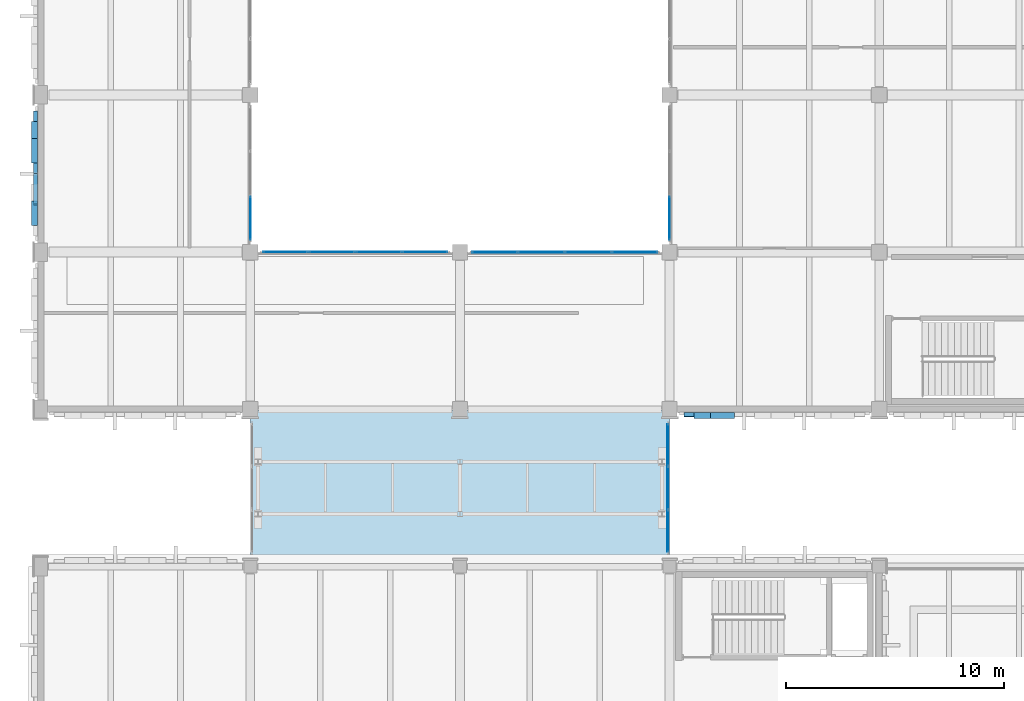
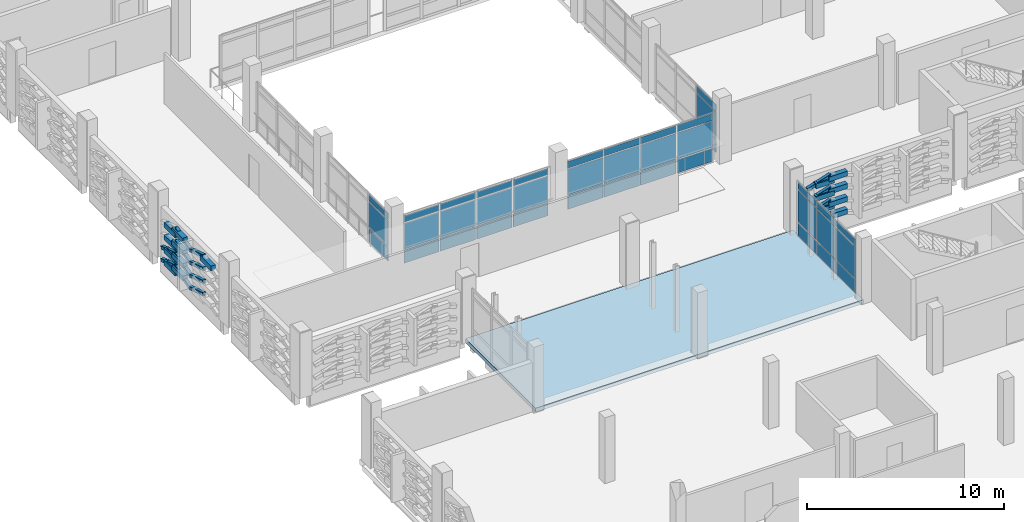
# One storey, part 96 of 134: 70 plates, 1 slab, 5 elements without a shape of their own.
"""IFC4 building model written with IfcOpenShell, lengths in metres."""

from ifc_helpers import new_model, si_unit, direction, frame, origin, origin_2d, place, context, subcontext, project, spatial, polyline, rectangle, hollow_rectangle, outline, extrude, material, layer, layer_set, material_profile, profile_set, type_object, element, aggregate, save


model = new_model("IFC4")

# Units and contexts
model_context = context("Model", 3, precision=1e-05, world=origin(), true_north=direction((0.0, 1.0)))
body_context = subcontext(model_context, "Body", "Model", "MODEL_VIEW")
ifc_project = project(units=[si_unit("LENGTHUNIT", "METRE"), si_unit("AREAUNIT", "SQUARE_METRE"), si_unit("VOLUMEUNIT", "CUBIC_METRE"), si_unit("PLANEANGLEUNIT", "RADIAN"), si_unit("MASSUNIT", "GRAM", prefix="KILO")], contexts=[model_context])

# Site, building, storey
site_placement = place(None, origin())
site = spatial("IfcSite", under=ifc_project, at=site_placement, CompositionType="ELEMENT")
building_placement = place(site_placement, origin())
building = spatial("IfcBuilding", under=site, at=building_placement, Name="Asteropetra Specialist Clinic", CompositionType="ELEMENT")
storey_placement = place(building_placement, frame((0.0, 0.0, 8.5)))
storey = spatial("IfcBuildingStorey", under=building, at=storey_placement, Name="L02", CompositionType="ELEMENT", Elevation=8.5)

# Plates
ifc_material_1 = material(Name="Chevron emerald aluminium 6063-T6", Category="aluminium")
ifc_material_profile = material_profile(ifc_material_1, hollow_rectangle(XDim=0.199951171875, YDim=0.199951171875, WallThickness=0.010009765625, InnerFilletRadius=0.008056640625, OuterFilletRadius=0.01611328125, at=origin_2d()), Name="SHS 200x200x10.0")
ifc_profile_set = profile_set([ifc_material_profile], Name="Chevron emerald aluminium 6063-T6")
plate_type_1 = type_object("IfcPlateType", Name="CHV-RIB-200", PredefinedType="SHEET", material=ifc_profile_set)
for number, where, z_axis, x_axis, name in (
    (1, (29.489990234375, 69.35791015625, 0.050048828125), (0.952436086829, 0.0, 0.304738413241), (0.0, 1.0, 0.0), "Chevron Facade Screen Fin CVR-0931"),
    (2, (29.489990234375, 69.35791015625, 0.820068359375), (0.952436086829, 0.0, 0.304738413241), (0.0, 1.0, 0.0), "Chevron Facade Screen Fin CVR-0933"),
    (3, (29.489990234375, 69.35791015625, 1.6201171875), (0.952436086829, 0.0, 0.304738413241), (0.0, 1.0, 0.0), "Chevron Facade Screen Fin CVR-0935"),
    (4, (29.489990234375, 69.35791015625, 2.39990234375), (0.952436086829, 0.0, 0.304738413241), (0.0, 1.0, 0.0), "Chevron Facade Screen Fin CVR-0937"),
):
    element("IfcPlate", number, at=place(storey_placement, frame(where, z_axis=z_axis, x_axis=x_axis)), inside=storey, type_object=plate_type_1, Name=name, PredefinedType="SHEET", context=body_context, shape_type="SweptSolid", body=[
        extrude(hollow_rectangle(XDim=0.199951171875, YDim=0.199951171875, WallThickness=0.010009765625, InnerFilletRadius=0.008056640625, OuterFilletRadius=0.01611328125, at=origin_2d()), origin(), (0.0, 0.0, 1.0), 1.424560546875),
    ])
plate_1_placement = place(storey_placement, frame((-0.241943359375, 83.235107421875, 0.050048828125), z_axis=(0.0, -0.952525753893, 0.30445802366), x_axis=(1.0, 0.0, 0.0)))
element("IfcPlate", 5, at=plate_1_placement, inside=storey, type_object=plate_type_1, Name="Chevron Facade Screen Fin CVR-1059", PredefinedType="SHEET", context=body_context, shape_type="SweptSolid", body=[
    extrude(hollow_rectangle(XDim=0.199951171875, YDim=0.199951171875, WallThickness=0.010009765625, InnerFilletRadius=0.008056640625, OuterFilletRadius=0.01611328125, at=origin_2d()), origin(), (0.0, 0.0, 1.0), 1.477783203125),
])
plate_2_placement = place(storey_placement, frame((-0.241943359375, 81.827392578125, 0.5), z_axis=(0.0, -0.952510437396, -0.304505938616), x_axis=(1.0, 0.0, 0.0)))
element("IfcPlate", 6, at=plate_2_placement, inside=storey, type_object=plate_type_1, Name="Chevron Facade Screen Fin CVR-1060", PredefinedType="SHEET", context=body_context, shape_type="SweptSolid", body=[
    extrude(hollow_rectangle(XDim=0.199951171875, YDim=0.199951171875, WallThickness=0.010009765625, InnerFilletRadius=0.008056640625, OuterFilletRadius=0.01611328125, at=origin_2d()), origin(), (0.0, 0.0, 1.0), 1.4775390625),
])
plate_3_placement = place(storey_placement, frame((-0.241943359375, 83.235107421875, 0.820068359375), z_axis=(0.0, -0.952525753893, 0.30445802366), x_axis=(1.0, 0.0, 0.0)))
element("IfcPlate", 7, at=plate_3_placement, inside=storey, type_object=plate_type_1, Name="Chevron Facade Screen Fin CVR-1061", PredefinedType="SHEET", context=body_context, shape_type="SweptSolid", body=[
    extrude(hollow_rectangle(XDim=0.199951171875, YDim=0.199951171875, WallThickness=0.010009765625, InnerFilletRadius=0.008056640625, OuterFilletRadius=0.01611328125, at=origin_2d()), origin(), (0.0, 0.0, 1.0), 1.477783203125),
])
for number, where, z_axis, x_axis, name in (
    (8, (-0.241943359375, 81.827392578125, 1.27001953125), (0.0, -0.952510437396, -0.304505938616), (1.0, 0.0, 0.0), "Chevron Facade Screen Fin CVR-1062"),
    (9, (-0.241943359375, 81.827392578125, 2.070068359375), (0.0, -0.952510437396, -0.304505938616), (1.0, 0.0, 0.0), "Chevron Facade Screen Fin CVR-1064"),
):
    element("IfcPlate", number, at=place(storey_placement, frame(where, z_axis=z_axis, x_axis=x_axis)), inside=storey, type_object=plate_type_1, Name=name, PredefinedType="SHEET", context=body_context, shape_type="SweptSolid", body=[
        extrude(hollow_rectangle(XDim=0.199951171875, YDim=0.199951171875, WallThickness=0.010009765625, InnerFilletRadius=0.008056640625, OuterFilletRadius=0.01611328125, at=origin_2d()), origin(), (0.0, 0.0, 1.0), 1.4775390625),
    ])
plate_4_placement = place(storey_placement, frame((-0.241943359375, 81.827392578125, 2.85009765625), z_axis=(0.0, -0.952462505902, -0.304655830162), x_axis=(1.0, 0.0, 0.0)))
element("IfcPlate", 10, at=plate_4_placement, inside=storey, type_object=plate_type_1, Name="Chevron Facade Screen Fin CVR-1066", PredefinedType="SHEET", context=body_context, shape_type="SweptSolid", body=[
    extrude(hollow_rectangle(XDim=0.199951171875, YDim=0.199951171875, WallThickness=0.010009765625, InnerFilletRadius=0.008056640625, OuterFilletRadius=0.01611328125, at=origin_2d()), origin(), (0.0, 0.0, 1.0), 1.477783203125),
])
for number, where, z_axis, x_axis, name in (
    (11, (-0.241943359375, 80.3798828125, 0.050048828125), (0.0, -0.952510437396, 0.304505938616), (1.0, 0.0, 0.0), "Chevron Facade Screen Fin CVR-1067"),
    (12, (-0.241943359375, 80.3798828125, 0.820068359375), (0.0, -0.952510437396, 0.304505938616), (1.0, 0.0, 0.0), "Chevron Facade Screen Fin CVR-1069"),
    (13, (-0.241943359375, 80.3798828125, 1.6201171875), (0.0, -0.952510437396, 0.304505938616), (1.0, 0.0, 0.0), "Chevron Facade Screen Fin CVR-1071"),
):
    element("IfcPlate", number, at=place(storey_placement, frame(where, z_axis=z_axis, x_axis=x_axis)), inside=storey, type_object=plate_type_1, Name=name, PredefinedType="SHEET", context=body_context, shape_type="SweptSolid", body=[
        extrude(hollow_rectangle(XDim=0.199951171875, YDim=0.199951171875, WallThickness=0.010009765625, InnerFilletRadius=0.008056640625, OuterFilletRadius=0.01611328125, at=origin_2d()), origin(), (0.0, 0.0, 1.0), 1.4775390625),
    ])
plate_5_placement = place(storey_placement, frame((-0.241943359375, 80.3798828125, 2.39990234375), z_axis=(0.0, -0.952462505902, 0.304655830162), x_axis=(1.0, 0.0, 0.0)))
element("IfcPlate", 14, at=plate_5_placement, inside=storey, type_object=plate_type_1, Name="Chevron Facade Screen Fin CVR-1073", PredefinedType="SHEET", context=body_context, shape_type="SweptSolid", body=[
    extrude(hollow_rectangle(XDim=0.199951171875, YDim=0.199951171875, WallThickness=0.010009765625, InnerFilletRadius=0.008056640625, OuterFilletRadius=0.01611328125, at=origin_2d()), origin(), (0.0, 0.0, 1.0), 1.477783203125),
])

# Curtain wall, plates
ifc_material_2 = material(Name="Aluminium and low-E glass", Category="aluminium")
ifc_layer_1 = layer(ifc_material_2, 0.14990234375)
ifc_layer_set_1 = layer_set([ifc_layer_1], Name="Aluminium and low-E glass")
curtain_wall_type_1 = type_object("IfcCurtainWallType", Name="CW-SYS-02", PredefinedType="USERDEFINED", material=ifc_layer_set_1)
curtain_wall_1_placement = place(storey_placement, origin())
curtain_wall_1 = element("IfcCurtainWall", 15, at=curtain_wall_1_placement, inside=storey, type_object=curtain_wall_type_1, Name="Curtain Wall CW-033", ObjectType="UNITISED CURTAIN WALL", PredefinedType="USERDEFINED")
ifc_material_3 = material(Name="Low-E acoustic double glazing", Category="glass")
ifc_layer_2 = layer(ifc_material_3, 0.031982421875)
ifc_layer_set_2 = layer_set([ifc_layer_2], Name="Low-E acoustic double glazing")
plate_type_2 = type_object("IfcPlateType", Name="CWP-GLZ-32", PredefinedType="CURTAIN_PANEL", material=ifc_layer_set_2)
plate_6_placement = place(storey_placement, frame((11.201171875, 76.800048828125, 0.074951171875), z_axis=(0.0, 0.0, 1.0), x_axis=(1.0, 0.0, 0.0)))
plate_6 = element("IfcPlate", 16, at=plate_6_placement, type_object=plate_type_2, Name="CW-033 panel 1.1", PredefinedType="CURTAIN_PANEL", context=body_context, shape_type="SweptSolid", body=[
    extrude(rectangle(XDim=2.032470703125, YDim=0.031982421875, at=origin_2d()), origin(), (0.0, 0.0, 1.0), 0.78759765625),
])
plate_7_placement = place(storey_placement, frame((11.201171875, 76.800048828125, 0.9375), z_axis=(0.0, 0.0, 1.0), x_axis=(1.0, 0.0, 0.0)))
plate_7 = element("IfcPlate", 17, at=plate_7_placement, type_object=plate_type_2, Name="CW-033 panel 1.2", PredefinedType="CURTAIN_PANEL", context=body_context, shape_type="SweptSolid", body=[
    extrude(rectangle(XDim=2.032470703125, YDim=0.031982421875, at=origin_2d()), origin(), (0.0, 0.0, 1.0), 1.60498046875),
])
plate_8_placement = place(storey_placement, frame((11.201171875, 76.800048828125, 2.61767578125), z_axis=(0.0, 0.0, 1.0), x_axis=(1.0, 0.0, 0.0)))
plate_8 = element("IfcPlate", 18, at=plate_8_placement, type_object=plate_type_2, Name="CW-033 panel 1.3", PredefinedType="CURTAIN_PANEL", context=body_context, shape_type="SweptSolid", body=[
    extrude(rectangle(XDim=2.032470703125, YDim=0.031982421875, at=origin_2d()), origin(), (0.0, 0.0, 1.0), 0.387451171875),
])
plate_9_placement = place(storey_placement, frame((13.327392578125, 76.800048828125, 0.074951171875), z_axis=(0.0, 0.0, 1.0), x_axis=(1.0, 0.0, 0.0)))
plate_9 = element("IfcPlate", 19, at=plate_9_placement, type_object=plate_type_2, Name="CW-033 panel 2.1", PredefinedType="CURTAIN_PANEL", context=body_context, shape_type="SweptSolid", body=[
    extrude(rectangle(XDim=2.070068359375, YDim=0.031982421875, at=origin_2d()), origin(), (0.0, 0.0, 1.0), 0.78759765625),
])
plate_10_placement = place(storey_placement, frame((13.327392578125, 76.800048828125, 0.9375), z_axis=(0.0, 0.0, 1.0), x_axis=(1.0, 0.0, 0.0)))
plate_10 = element("IfcPlate", 20, at=plate_10_placement, type_object=plate_type_2, Name="CW-033 panel 2.2", PredefinedType="CURTAIN_PANEL", context=body_context, shape_type="SweptSolid", body=[
    extrude(rectangle(XDim=2.070068359375, YDim=0.031982421875, at=origin_2d()), origin(), (0.0, 0.0, 1.0), 1.60498046875),
])
plate_11_placement = place(storey_placement, frame((13.327392578125, 76.800048828125, 2.61767578125), z_axis=(0.0, 0.0, 1.0), x_axis=(1.0, 0.0, 0.0)))
plate_11 = element("IfcPlate", 21, at=plate_11_placement, type_object=plate_type_2, Name="CW-033 panel 2.3", PredefinedType="CURTAIN_PANEL", context=body_context, shape_type="SweptSolid", body=[
    extrude(rectangle(XDim=2.070068359375, YDim=0.031982421875, at=origin_2d()), origin(), (0.0, 0.0, 1.0), 0.387451171875),
])
plate_12_placement = place(storey_placement, frame((15.472412109375, 76.800048828125, 0.074951171875), z_axis=(0.0, 0.0, 1.0), x_axis=(1.0, 0.0, 0.0)))
plate_12 = element("IfcPlate", 22, at=plate_12_placement, type_object=plate_type_2, Name="CW-033 panel 3.1", PredefinedType="CURTAIN_PANEL", context=body_context, shape_type="SweptSolid", body=[
    extrude(rectangle(XDim=2.070068359375, YDim=0.031982421875, at=origin_2d()), origin(), (0.0, 0.0, 1.0), 0.78759765625),
])
plate_13_placement = place(storey_placement, frame((15.472412109375, 76.800048828125, 0.9375), z_axis=(0.0, 0.0, 1.0), x_axis=(1.0, 0.0, 0.0)))
plate_13 = element("IfcPlate", 23, at=plate_13_placement, type_object=plate_type_2, Name="CW-033 panel 3.2", PredefinedType="CURTAIN_PANEL", context=body_context, shape_type="SweptSolid", body=[
    extrude(rectangle(XDim=2.070068359375, YDim=0.031982421875, at=origin_2d()), origin(), (0.0, 0.0, 1.0), 1.60498046875),
])
plate_14_placement = place(storey_placement, frame((15.472412109375, 76.800048828125, 2.61767578125), z_axis=(0.0, 0.0, 1.0), x_axis=(1.0, 0.0, 0.0)))
plate_14 = element("IfcPlate", 24, at=plate_14_placement, type_object=plate_type_2, Name="CW-033 panel 3.3", PredefinedType="CURTAIN_PANEL", context=body_context, shape_type="SweptSolid", body=[
    extrude(rectangle(XDim=2.070068359375, YDim=0.031982421875, at=origin_2d()), origin(), (0.0, 0.0, 1.0), 0.387451171875),
])
plate_15_placement = place(storey_placement, frame((17.5986328125, 76.800048828125, 0.074951171875), z_axis=(0.0, 0.0, 1.0), x_axis=(1.0, 0.0, 0.0)))
plate_15 = element("IfcPlate", 25, at=plate_15_placement, type_object=plate_type_2, Name="CW-033 panel 4.1", PredefinedType="CURTAIN_PANEL", context=body_context, shape_type="SweptSolid", body=[
    extrude(rectangle(XDim=2.032470703125, YDim=0.031982421875, at=origin_2d()), origin(), (0.0, 0.0, 1.0), 0.78759765625),
])
plate_16_placement = place(storey_placement, frame((17.5986328125, 76.800048828125, 0.9375), z_axis=(0.0, 0.0, 1.0), x_axis=(1.0, 0.0, 0.0)))
plate_16 = element("IfcPlate", 26, at=plate_16_placement, type_object=plate_type_2, Name="CW-033 panel 4.2", PredefinedType="CURTAIN_PANEL", context=body_context, shape_type="SweptSolid", body=[
    extrude(rectangle(XDim=2.032470703125, YDim=0.031982421875, at=origin_2d()), origin(), (0.0, 0.0, 1.0), 1.60498046875),
])
plate_17_placement = place(storey_placement, frame((17.5986328125, 76.800048828125, 2.61767578125), z_axis=(0.0, 0.0, 1.0), x_axis=(1.0, 0.0, 0.0)))
plate_17 = element("IfcPlate", 27, at=plate_17_placement, type_object=plate_type_2, Name="CW-033 panel 4.3", PredefinedType="CURTAIN_PANEL", context=body_context, shape_type="SweptSolid", body=[
    extrude(rectangle(XDim=2.032470703125, YDim=0.031982421875, at=origin_2d()), origin(), (0.0, 0.0, 1.0), 0.387451171875),
])
aggregate(curtain_wall_1, [plate_6, plate_7, plate_8, plate_9, plate_10, plate_11, plate_12, plate_13, plate_14, plate_15, plate_16, plate_17])

ifc_material_4 = material(Name="Aluminium and low-E glass", Category="aluminium")
ifc_layer_3 = layer(ifc_material_4, 0.179931640625)
ifc_layer_set_3 = layer_set([ifc_layer_3], Name="Aluminium and low-E glass")
curtain_wall_type_2 = type_object("IfcCurtainWallType", Name="CW-SYS-04", PredefinedType="USERDEFINED", material=ifc_layer_set_3)
curtain_wall_2_placement = place(storey_placement, origin())
curtain_wall_2 = element("IfcCurtainWall", 28, at=curtain_wall_2_placement, inside=storey, type_object=curtain_wall_type_2, Name="Curtain Wall CW-037", ObjectType="UNITISED CURTAIN WALL", PredefinedType="USERDEFINED")
plate_18_placement = place(storey_placement, frame((9.60009765625, 78.356201171875, 0.06494140625), z_axis=(0.0, 0.0, 1.0), x_axis=(0.0, -1.0, 0.0)))
plate_18 = element("IfcPlate", 29, at=plate_18_placement, type_object=plate_type_2, Name="CW-037 panel 3.1", PredefinedType="CURTAIN_PANEL", context=body_context, shape_type="SweptSolid", body=[
    extrude(rectangle(XDim=1.96240234375, YDim=0.031982421875, at=origin_2d()), origin(), (0.0, 0.0, 1.0), 0.802490234375),
])
plate_19_placement = place(storey_placement, frame((9.60009765625, 78.356201171875, 0.9326171875), z_axis=(0.0, 0.0, 1.0), x_axis=(0.0, -1.0, 0.0)))
plate_19 = element("IfcPlate", 30, at=plate_19_placement, type_object=plate_type_2, Name="CW-037 panel 3.2", PredefinedType="CURTAIN_PANEL", context=body_context, shape_type="SweptSolid", body=[
    extrude(rectangle(XDim=1.96240234375, YDim=0.031982421875, at=origin_2d()), origin(), (0.0, 0.0, 1.0), 1.614990234375),
])
plate_20_placement = place(storey_placement, frame((9.60009765625, 78.356201171875, 2.6123046875), z_axis=(0.0, 0.0, 1.0), x_axis=(0.0, -1.0, 0.0)))
plate_20 = element("IfcPlate", 31, at=plate_20_placement, type_object=plate_type_2, Name="CW-037 panel 3.3", PredefinedType="CURTAIN_PANEL", context=body_context, shape_type="SweptSolid", body=[
    extrude(rectangle(XDim=1.96240234375, YDim=0.031982421875, at=origin_2d()), origin(), (0.0, 0.0, 1.0), 0.402587890625),
])
aggregate(curtain_wall_2, [plate_18, plate_19, plate_20])

ifc_material_5 = material(Name="Aluminium and low-E glass", Category="aluminium")
ifc_layer_4 = layer(ifc_material_5, 0.14990234375)
ifc_layer_set_4 = layer_set([ifc_layer_4], Name="Aluminium and low-E glass")
curtain_wall_type_3 = type_object("IfcCurtainWallType", Name="CW-SYS-05", PredefinedType="USERDEFINED", material=ifc_layer_set_4)
curtain_wall_3_placement = place(storey_placement, origin())
curtain_wall_3 = element("IfcCurtainWall", 32, at=curtain_wall_3_placement, inside=storey, type_object=curtain_wall_type_3, Name="Curtain Wall CW-038", ObjectType="UNITISED CURTAIN WALL", PredefinedType="USERDEFINED")
ifc_material_6 = material(Name="Solar-control triple glazing", Category="glass")
ifc_layer_5 = layer(ifc_material_6, 0.035888671875)
ifc_layer_set_5 = layer_set([ifc_layer_5], Name="Solar-control triple glazing")
plate_type_3 = type_object("IfcPlateType", Name="CWP-GLZ-36", PredefinedType="CURTAIN_PANEL", material=ifc_layer_set_5)
plate_21_placement = place(storey_placement, frame((28.800048828125, 78.35498046875, 0.06005859375), z_axis=(0.0, 0.0, 1.0), x_axis=(0.0, 1.0, 0.0)))
plate_21 = element("IfcPlate", 33, at=plate_21_placement, type_object=plate_type_3, Name="CW-038 panel 1.1", PredefinedType="CURTAIN_PANEL", context=body_context, shape_type="SweptSolid", body=[
    extrude(rectangle(XDim=1.969970703125, YDim=0.035888671875, at=origin_2d()), origin(), (0.0, 0.0, 1.0), 0.81005859375),
])
plate_22_placement = place(storey_placement, frame((28.800048828125, 78.35498046875, 0.929931640625), z_axis=(0.0, 0.0, 1.0), x_axis=(0.0, 1.0, 0.0)))
plate_22 = element("IfcPlate", 34, at=plate_22_placement, type_object=plate_type_3, Name="CW-038 panel 1.2", PredefinedType="CURTAIN_PANEL", context=body_context, shape_type="SweptSolid", body=[
    extrude(rectangle(XDim=1.969970703125, YDim=0.035888671875, at=origin_2d()), origin(), (0.0, 0.0, 1.0), 1.6201171875),
])
plate_23_placement = place(storey_placement, frame((28.800048828125, 78.35498046875, 2.60986328125), z_axis=(0.0, 0.0, 1.0), x_axis=(0.0, 1.0, 0.0)))
plate_23 = element("IfcPlate", 35, at=plate_23_placement, type_object=plate_type_3, Name="CW-038 panel 1.3", PredefinedType="CURTAIN_PANEL", context=body_context, shape_type="SweptSolid", body=[
    extrude(rectangle(XDim=1.969970703125, YDim=0.035888671875, at=origin_2d()), origin(), (0.0, 0.0, 1.0), 0.409912109375),
])
aggregate(curtain_wall_3, [plate_21, plate_22, plate_23])

ifc_material_7 = material(Name="Aluminium and low-E glass", Category="aluminium")
ifc_layer_6 = layer(ifc_material_7, 0.135009765625)
ifc_layer_set_6 = layer_set([ifc_layer_6], Name="Aluminium and low-E glass")
curtain_wall_type_4 = type_object("IfcCurtainWallType", Name="CW-SYS-09", PredefinedType="USERDEFINED", material=ifc_layer_set_6)
curtain_wall_4_placement = place(storey_placement, origin())
curtain_wall_4 = element("IfcCurtainWall", 36, at=curtain_wall_4_placement, inside=storey, type_object=curtain_wall_type_4, Name="Curtain Wall CW-106", ObjectType="STICK GLAZED COLONNADE", PredefinedType="USERDEFINED")
plate_24_placement = place(storey_placement, frame((28.719970703125, 67.97705078125, 0.06494140625), z_axis=(0.0, 0.0, 1.0), x_axis=(0.0, -1.0, 0.0)))
plate_24 = element("IfcPlate", 37, at=plate_24_placement, type_object=plate_type_3, Name="CW-106 panel 1.1", PredefinedType="CURTAIN_PANEL", context=body_context, shape_type="SweptSolid", body=[
    extrude(rectangle(XDim=1.895751953125, YDim=0.035888671875, at=origin_2d()), origin(), (0.0, 0.0, 1.0), 0.802490234375),
])
plate_25_placement = place(storey_placement, frame((28.719970703125, 67.97705078125, 0.9326171875), z_axis=(0.0, 0.0, 1.0), x_axis=(0.0, -1.0, 0.0)))
plate_25 = element("IfcPlate", 38, at=plate_25_placement, type_object=plate_type_3, Name="CW-106 panel 1.2", PredefinedType="CURTAIN_PANEL", context=body_context, shape_type="SweptSolid", body=[
    extrude(rectangle(XDim=1.895751953125, YDim=0.035888671875, at=origin_2d()), origin(), (0.0, 0.0, 1.0), 1.965087890625),
])
plate_26_placement = place(storey_placement, frame((28.719970703125, 67.97705078125, 2.96240234375), z_axis=(0.0, 0.0, 1.0), x_axis=(0.0, -1.0, 0.0)))
plate_26 = element("IfcPlate", 39, at=plate_26_placement, type_object=plate_type_3, Name="CW-106 panel 1.3", PredefinedType="CURTAIN_PANEL", context=body_context, shape_type="SweptSolid", body=[
    extrude(rectangle(XDim=1.895751953125, YDim=0.035888671875, at=origin_2d()), origin(), (0.0, 0.0, 1.0), 0.402587890625),
])
plate_27_placement = place(storey_placement, frame((28.719970703125, 66.0, 0.06494140625), z_axis=(0.0, 0.0, 1.0), x_axis=(0.0, -1.0, 0.0)))
plate_27 = element("IfcPlate", 40, at=plate_27_placement, type_object=plate_type_3, Name="CW-106 panel 2.1", PredefinedType="CURTAIN_PANEL", context=body_context, shape_type="SweptSolid", body=[
    extrude(rectangle(XDim=1.92822265625, YDim=0.035888671875, at=origin_2d()), origin(), (0.0, 0.0, 1.0), 0.802490234375),
])
plate_28_placement = place(storey_placement, frame((28.719970703125, 66.0, 0.9326171875), z_axis=(0.0, 0.0, 1.0), x_axis=(0.0, -1.0, 0.0)))
plate_28 = element("IfcPlate", 41, at=plate_28_placement, type_object=plate_type_3, Name="CW-106 panel 2.2", PredefinedType="CURTAIN_PANEL", context=body_context, shape_type="SweptSolid", body=[
    extrude(rectangle(XDim=1.92822265625, YDim=0.035888671875, at=origin_2d()), origin(), (0.0, 0.0, 1.0), 1.965087890625),
])
plate_29_placement = place(storey_placement, frame((28.719970703125, 66.0, 2.96240234375), z_axis=(0.0, 0.0, 1.0), x_axis=(0.0, -1.0, 0.0)))
plate_29 = element("IfcPlate", 42, at=plate_29_placement, type_object=plate_type_3, Name="CW-106 panel 2.3", PredefinedType="CURTAIN_PANEL", context=body_context, shape_type="SweptSolid", body=[
    extrude(rectangle(XDim=1.92822265625, YDim=0.035888671875, at=origin_2d()), origin(), (0.0, 0.0, 1.0), 0.402587890625),
])
plate_30_placement = place(storey_placement, frame((28.719970703125, 64.02294921875, 0.06494140625), z_axis=(0.0, 0.0, 1.0), x_axis=(0.0, -1.0, 0.0)))
plate_30 = element("IfcPlate", 43, at=plate_30_placement, type_object=plate_type_3, Name="CW-106 panel 3.1", PredefinedType="CURTAIN_PANEL", context=body_context, shape_type="SweptSolid", body=[
    extrude(rectangle(XDim=1.895751953125, YDim=0.035888671875, at=origin_2d()), origin(), (0.0, 0.0, 1.0), 0.802490234375),
])
plate_31_placement = place(storey_placement, frame((28.719970703125, 64.02294921875, 0.9326171875), z_axis=(0.0, 0.0, 1.0), x_axis=(0.0, -1.0, 0.0)))
plate_31 = element("IfcPlate", 44, at=plate_31_placement, type_object=plate_type_3, Name="CW-106 panel 3.2", PredefinedType="CURTAIN_PANEL", context=body_context, shape_type="SweptSolid", body=[
    extrude(rectangle(XDim=1.895751953125, YDim=0.035888671875, at=origin_2d()), origin(), (0.0, 0.0, 1.0), 1.965087890625),
])
plate_32_placement = place(storey_placement, frame((28.719970703125, 64.02294921875, 2.96240234375), z_axis=(0.0, 0.0, 1.0), x_axis=(0.0, -1.0, 0.0)))
plate_32 = element("IfcPlate", 45, at=plate_32_placement, type_object=plate_type_3, Name="CW-106 panel 3.3", PredefinedType="CURTAIN_PANEL", context=body_context, shape_type="SweptSolid", body=[
    extrude(rectangle(XDim=1.895751953125, YDim=0.035888671875, at=origin_2d()), origin(), (0.0, 0.0, 1.0), 0.402587890625),
])
aggregate(curtain_wall_4, [plate_24, plate_25, plate_26, plate_27, plate_28, plate_29, plate_30, plate_31, plate_32])

ifc_material_8 = material(Name="Aluminium and low-E glass", Category="aluminium")
ifc_layer_7 = layer(ifc_material_8, 0.135009765625)
ifc_layer_set_7 = layer_set([ifc_layer_7], Name="Aluminium and low-E glass")
curtain_wall_type_5 = type_object("IfcCurtainWallType", Name="CW-SYS-03", PredefinedType="USERDEFINED", material=ifc_layer_set_7)
curtain_wall_5_placement = place(storey_placement, origin())
curtain_wall_5 = element("IfcCurtainWall", 46, at=curtain_wall_5_placement, inside=storey, type_object=curtain_wall_type_5, Name="Curtain Wall CW-035", ObjectType="UNITISED CURTAIN WALL", PredefinedType="USERDEFINED")
ifc_material_9 = material(Name="Laminated skylight glazing", Category="glass")
ifc_layer_8 = layer(ifc_material_9, 0.0400390625)
ifc_layer_set_8 = layer_set([ifc_layer_8], Name="Laminated skylight glazing")
plate_type_4 = type_object("IfcPlateType", Name="CWP-GLZ-40", PredefinedType="CURTAIN_PANEL", material=ifc_layer_set_8)
plate_33_placement = place(storey_placement, frame((20.797607421875, 76.800048828125, 0.06005859375), z_axis=(0.0, 0.0, 1.0), x_axis=(1.0, 0.0, 0.0)))
plate_33 = element("IfcPlate", 47, at=plate_33_placement, type_object=plate_type_4, Name="CW-035 panel 1.1", PredefinedType="CURTAIN_PANEL", context=body_context, shape_type="SweptSolid", body=[
    extrude(rectangle(XDim=2.054931640625, YDim=0.0400390625, at=origin_2d()), origin(), (0.0, 0.0, 1.0), 0.81005859375),
])
plate_34_placement = place(storey_placement, frame((20.797607421875, 76.800048828125, 0.929931640625), z_axis=(0.0, 0.0, 1.0), x_axis=(1.0, 0.0, 0.0)))
plate_34 = element("IfcPlate", 48, at=plate_34_placement, type_object=plate_type_4, Name="CW-035 panel 1.2", PredefinedType="CURTAIN_PANEL", context=body_context, shape_type="SweptSolid", body=[
    extrude(rectangle(XDim=2.054931640625, YDim=0.0400390625, at=origin_2d()), origin(), (0.0, 0.0, 1.0), 1.6201171875),
])
plate_35_placement = place(storey_placement, frame((20.797607421875, 76.800048828125, 2.60986328125), z_axis=(0.0, 0.0, 1.0), x_axis=(1.0, 0.0, 0.0)))
plate_35 = element("IfcPlate", 49, at=plate_35_placement, type_object=plate_type_4, Name="CW-035 panel 1.3", PredefinedType="CURTAIN_PANEL", context=body_context, shape_type="SweptSolid", body=[
    extrude(rectangle(XDim=2.054931640625, YDim=0.0400390625, at=origin_2d()), origin(), (0.0, 0.0, 1.0), 0.409912109375),
])
plate_36_placement = place(storey_placement, frame((22.927490234375, 76.800048828125, 0.06005859375), z_axis=(0.0, 0.0, 1.0), x_axis=(1.0, 0.0, 0.0)))
plate_36 = element("IfcPlate", 50, at=plate_36_placement, type_object=plate_type_4, Name="CW-035 panel 2.1", PredefinedType="CURTAIN_PANEL", context=body_context, shape_type="SweptSolid", body=[
    extrude(rectangle(XDim=2.0849609375, YDim=0.0400390625, at=origin_2d()), origin(), (0.0, 0.0, 1.0), 0.81005859375),
])
plate_37_placement = place(storey_placement, frame((22.927490234375, 76.800048828125, 0.929931640625), z_axis=(0.0, 0.0, 1.0), x_axis=(1.0, 0.0, 0.0)))
plate_37 = element("IfcPlate", 51, at=plate_37_placement, type_object=plate_type_4, Name="CW-035 panel 2.2", PredefinedType="CURTAIN_PANEL", context=body_context, shape_type="SweptSolid", body=[
    extrude(rectangle(XDim=2.0849609375, YDim=0.0400390625, at=origin_2d()), origin(), (0.0, 0.0, 1.0), 1.6201171875),
])
plate_38_placement = place(storey_placement, frame((22.927490234375, 76.800048828125, 2.60986328125), z_axis=(0.0, 0.0, 1.0), x_axis=(1.0, 0.0, 0.0)))
plate_38 = element("IfcPlate", 52, at=plate_38_placement, type_object=plate_type_4, Name="CW-035 panel 2.3", PredefinedType="CURTAIN_PANEL", context=body_context, shape_type="SweptSolid", body=[
    extrude(rectangle(XDim=2.0849609375, YDim=0.0400390625, at=origin_2d()), origin(), (0.0, 0.0, 1.0), 0.409912109375),
])
plate_39_placement = place(storey_placement, frame((25.072509765625, 76.800048828125, 0.06005859375), z_axis=(0.0, 0.0, 1.0), x_axis=(1.0, 0.0, 0.0)))
plate_39 = element("IfcPlate", 53, at=plate_39_placement, type_object=plate_type_4, Name="CW-035 panel 3.1", PredefinedType="CURTAIN_PANEL", context=body_context, shape_type="SweptSolid", body=[
    extrude(rectangle(XDim=2.0849609375, YDim=0.0400390625, at=origin_2d()), origin(), (0.0, 0.0, 1.0), 0.81005859375),
])
plate_40_placement = place(storey_placement, frame((25.072509765625, 76.800048828125, 0.929931640625), z_axis=(0.0, 0.0, 1.0), x_axis=(1.0, 0.0, 0.0)))
plate_40 = element("IfcPlate", 54, at=plate_40_placement, type_object=plate_type_4, Name="CW-035 panel 3.2", PredefinedType="CURTAIN_PANEL", context=body_context, shape_type="SweptSolid", body=[
    extrude(rectangle(XDim=2.0849609375, YDim=0.0400390625, at=origin_2d()), origin(), (0.0, 0.0, 1.0), 1.6201171875),
])
plate_41_placement = place(storey_placement, frame((25.072509765625, 76.800048828125, 2.60986328125), z_axis=(0.0, 0.0, 1.0), x_axis=(1.0, 0.0, 0.0)))
plate_41 = element("IfcPlate", 55, at=plate_41_placement, type_object=plate_type_4, Name="CW-035 panel 3.3", PredefinedType="CURTAIN_PANEL", context=body_context, shape_type="SweptSolid", body=[
    extrude(rectangle(XDim=2.0849609375, YDim=0.0400390625, at=origin_2d()), origin(), (0.0, 0.0, 1.0), 0.409912109375),
])
plate_42_placement = place(storey_placement, frame((27.202392578125, 76.800048828125, 0.06005859375), z_axis=(0.0, 0.0, 1.0), x_axis=(1.0, 0.0, 0.0)))
plate_42 = element("IfcPlate", 56, at=plate_42_placement, type_object=plate_type_4, Name="CW-035 panel 4.1", PredefinedType="CURTAIN_PANEL", context=body_context, shape_type="SweptSolid", body=[
    extrude(rectangle(XDim=2.054931640625, YDim=0.0400390625, at=origin_2d()), origin(), (0.0, 0.0, 1.0), 0.81005859375),
])
plate_43_placement = place(storey_placement, frame((27.202392578125, 76.800048828125, 0.929931640625), z_axis=(0.0, 0.0, 1.0), x_axis=(1.0, 0.0, 0.0)))
plate_43 = element("IfcPlate", 57, at=plate_43_placement, type_object=plate_type_4, Name="CW-035 panel 4.2", PredefinedType="CURTAIN_PANEL", context=body_context, shape_type="SweptSolid", body=[
    extrude(rectangle(XDim=2.054931640625, YDim=0.0400390625, at=origin_2d()), origin(), (0.0, 0.0, 1.0), 1.6201171875),
])
plate_44_placement = place(storey_placement, frame((27.202392578125, 76.800048828125, 2.60986328125), z_axis=(0.0, 0.0, 1.0), x_axis=(1.0, 0.0, 0.0)))
plate_44 = element("IfcPlate", 58, at=plate_44_placement, type_object=plate_type_4, Name="CW-035 panel 4.3", PredefinedType="CURTAIN_PANEL", context=body_context, shape_type="SweptSolid", body=[
    extrude(rectangle(XDim=2.054931640625, YDim=0.0400390625, at=origin_2d()), origin(), (0.0, 0.0, 1.0), 0.409912109375),
])
aggregate(curtain_wall_5, [plate_33, plate_34, plate_35, plate_36, plate_37, plate_38, plate_39, plate_40, plate_41, plate_42, plate_43, plate_44])

# Plates
ifc_material_10 = material(Name="Aluminium 6063-T6", Category="aluminium")
ifc_layer_9 = layer(ifc_material_10, 0.139892578125)
ifc_layer_set_9 = layer_set([ifc_layer_9], Name="Aluminium 6063-T6")
plate_type_5 = type_object("IfcPlateType", Name="PLT-CHV-TILE", PredefinedType="SHEET", material=ifc_layer_set_9)
for number, where, z_axis, x_axis, name in (
    (59, (30.466796875, 69.320068359375, 0.0302734375), (0.0, 0.0, 1.0), (1.0, 0.0, 0.0), "Chevron Ceramic Panel CPT-0585"),
    (60, (31.2265625, 69.320068359375, 0.1953125), (0.0, 0.0, 1.0), (1.0, 0.0, 0.0), "Chevron Ceramic Panel CPT-0586"),
    (61, (30.466796875, 69.320068359375, 0.80029296875), (0.0, 0.0, 1.0), (1.0, 0.0, 0.0), "Chevron Ceramic Panel CPT-0587"),
    (62, (31.2265625, 69.320068359375, 0.96533203125), (0.0, 0.0, 1.0), (1.0, 0.0, 0.0), "Chevron Ceramic Panel CPT-0588"),
    (63, (30.466796875, 69.320068359375, 1.60009765625), (0.0, 0.0, 1.0), (1.0, 0.0, 0.0), "Chevron Ceramic Panel CPT-0589"),
    (64, (31.2265625, 69.320068359375, 1.76513671875), (0.0, 0.0, 1.0), (1.0, 0.0, 0.0), "Chevron Ceramic Panel CPT-0590"),
    (65, (30.466796875, 69.320068359375, 2.38037109375), (0.0, 0.0, 1.0), (1.0, 0.0, 0.0), "Chevron Ceramic Panel CPT-0591"),
    (66, (31.2265625, 69.320068359375, 2.54541015625), (0.0, 0.0, 1.0), (1.0, 0.0, 0.0), "Chevron Ceramic Panel CPT-0592"),
):
    element("IfcPlate", number, at=place(storey_placement, frame(where, z_axis=z_axis, x_axis=x_axis)), inside=storey, type_object=plate_type_5, Name=name, PredefinedType="SHEET", context=body_context, shape_type="SweptSolid", body=[
        extrude(rectangle(XDim=1.0849609375, YDim=0.280029296875, at=origin_2d()), origin(), (0.0, 0.0, 1.0), 0.300048828125),
    ])
for number, where, z_axis, x_axis, name in (
    (67, (-0.280029296875, 82.2216796875, 0.03515625), (0.0, 0.0, 1.0), (1.0, 0.0, 0.0), "Chevron Ceramic Panel CPT-0729"),
    (68, (-0.280029296875, 81.433349609375, 0.2060546875), (0.0, 0.0, 1.0), (1.0, 0.0, 0.0), "Chevron Ceramic Panel CPT-0730"),
    (69, (-0.280029296875, 82.2216796875, 0.80517578125), (0.0, 0.0, 1.0), (1.0, 0.0, 0.0), "Chevron Ceramic Panel CPT-0731"),
    (70, (-0.280029296875, 81.433349609375, 0.97607421875), (0.0, 0.0, 1.0), (1.0, 0.0, 0.0), "Chevron Ceramic Panel CPT-0732"),
    (71, (-0.280029296875, 82.2216796875, 1.60498046875), (0.0, 0.0, 1.0), (1.0, 0.0, 0.0), "Chevron Ceramic Panel CPT-0733"),
    (72, (-0.280029296875, 81.433349609375, 1.77587890625), (0.0, 0.0, 1.0), (1.0, 0.0, 0.0), "Chevron Ceramic Panel CPT-0734"),
    (73, (-0.280029296875, 82.2216796875, 2.384765625), (0.0, 0.0, 1.0), (1.0, 0.0, 0.0), "Chevron Ceramic Panel CPT-0735"),
    (74, (-0.280029296875, 81.433349609375, 2.55615234375), (0.0, 0.0, 1.0), (1.0, 0.0, 0.0), "Chevron Ceramic Panel CPT-0736"),
    (75, (-0.280029296875, 78.578369140625, 2.55615234375), (0.0, 0.0, 1.0), (1.0, 0.0, 0.0), "Chevron Ceramic Panel CPT-0744"),
):
    element("IfcPlate", number, at=place(storey_placement, frame(where, z_axis=z_axis, x_axis=x_axis)), inside=storey, type_object=plate_type_5, Name=name, PredefinedType="SHEET", context=body_context, shape_type="SweptSolid", body=[
        extrude(rectangle(XDim=0.280029296875, YDim=1.1259765625, at=origin_2d()), origin(), (0.0, 0.0, 1.0), 0.300048828125),
    ])

# Slab
ifc_material_11 = material(Name="Concrete C35/45", Category="concrete")
ifc_layer_10 = layer(ifc_material_11, 0.239990234375)
ifc_layer_set_10 = layer_set([ifc_layer_10], Name="Concrete C35/45")
slab_type = type_object("IfcSlabType", Name="SLB-FLR-240", PredefinedType="FLOOR", material=ifc_layer_set_10)
slab_placement = place(storey_placement, frame((0.0, 0.0, -0.239990234375)))
element("IfcSlab", 76, at=slab_placement, inside=storey, type_object=slab_type, Name="Slab LP2 L02", PredefinedType="FLOOR", context=body_context, shape_type="SweptSolid", body=[
    extrude(outline(polyline([(9.60009765625, 62.43994140625), (28.800048828125, 62.43994140625), (28.800048828125, 69.56005859375), (9.60009765625, 69.56005859375), (9.60009765625, 62.43994140625)])), origin(), (0.0, 0.0, 1.0), 0.239990234375),
])

save(model, "model.ifc")
